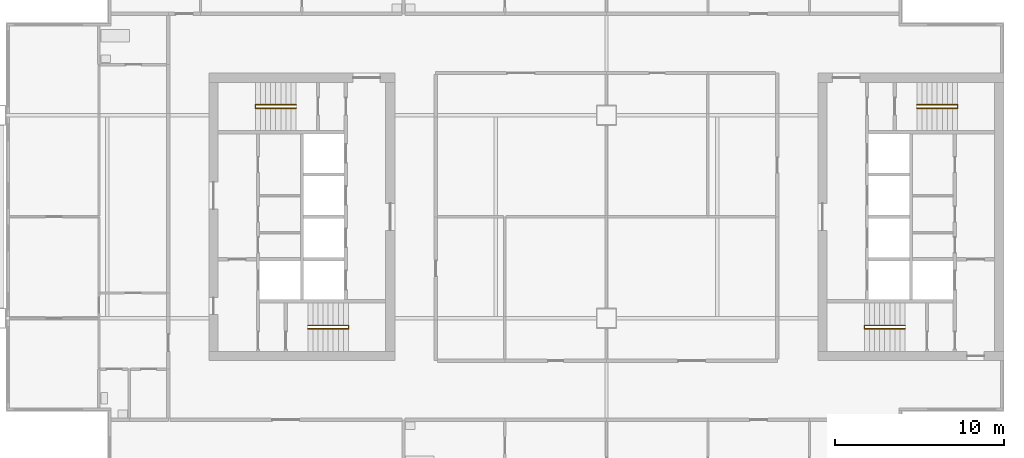
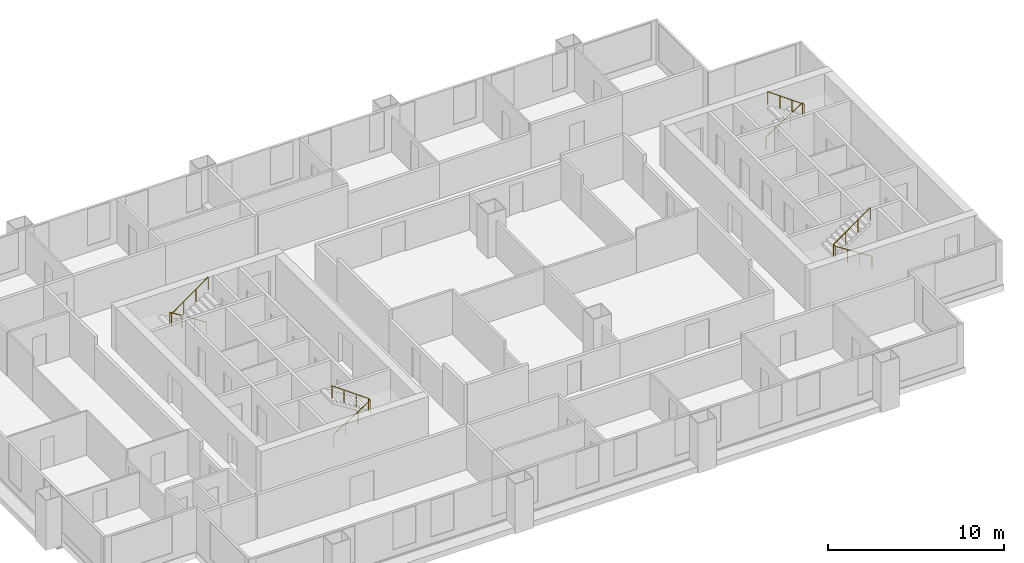
# One storey, part 8 of 9: 4 railings.
"""IFC4 building model written with IfcOpenShell, lengths in metres."""

from ifc_helpers import new_model, si_unit, direction, frame, origin, origin_2d, place, context, subcontext, project, spatial, circle, extrude, material, type_object, element, save


model = new_model("IFC4")

# Units and contexts
model_context = context("Model", 3, precision=1e-05, world=origin(), true_north=direction((0.0, 1.0)))
body_context = subcontext(model_context, "Body", "Model", "MODEL_VIEW")
ifc_project = project(units=[si_unit("LENGTHUNIT", "METRE"), si_unit("AREAUNIT", "SQUARE_METRE"), si_unit("VOLUMEUNIT", "CUBIC_METRE"), si_unit("PLANEANGLEUNIT", "RADIAN"), si_unit("MASSUNIT", "GRAM", prefix="KILO")], contexts=[model_context])

# Site, building, storey
site_placement = place(None, origin())
site = spatial("IfcSite", under=ifc_project, at=site_placement, CompositionType="ELEMENT")
building_placement = place(site_placement, origin())
building = spatial("IfcBuilding", under=site, at=building_placement, Name="Kitamizu Gate Tower and Museum", CompositionType="ELEMENT")
storey_placement = place(building_placement, frame((0.0, 0.0, 206.550048828125)))
storey = spatial("IfcBuildingStorey", under=building, at=storey_placement, Name="L55", CompositionType="ELEMENT", Elevation=206.550048828125)

# Railings
ifc_material = material(Name="Stainless steel SUS304", Category="steel")
railing_type = type_object("IfcRailingType", Name="Stair handrail 900", PredefinedType="HANDRAIL", material=ifc_material)
railing_1_placement = place(storey_placement, frame((18.35009765625, 23.375, 0.191650390625)))
element("IfcRailing", 1, at=railing_1_placement, inside=storey, type_object=railing_type, Name="Stair handrail ST1", PredefinedType="HANDRAIL", context=body_context, shape_type="SweptSolid", body=[
    extrude(circle(Radius=0.02392578125, at=origin_2d()), frame((0.0, 0.0, 0.8759765625), z_axis=(0.84270706373, 0.0, 0.538372366248), x_axis=(0.0, 1.0, 0.0)), (0.0, 0.0, 1.0), 2.847900390625),
    extrude(circle(Radius=0.02392578125, at=origin_2d()), frame((2.39990234375, 0.0, 2.4091796875), z_axis=(0.0, 1.0, 0.0), x_axis=(-1.0, 0.0, 0.0)), (0.0, 0.0, 1.0), 0.199951171875),
    extrude(circle(Radius=0.02392578125, at=origin_2d()), frame((2.39990234375, 0.199951171875, 2.4091796875), z_axis=(-0.811988456656, 0.0, 0.583673492852), x_axis=(0.0, -1.0, 0.0)), (0.0, 0.0, 1.0), 2.95556640625),
    extrude(circle(Radius=0.02099609375, at=origin_2d()), origin(), (0.0, 0.0, 1.0), 0.851806640625),
    extrude(circle(Radius=0.02099609375, at=origin_2d()), frame((0.800048828125, 0.0, 0.510986328125)), (0.0, 0.0, 1.0), 0.851806640625),
    extrude(circle(Radius=0.02099609375, at=origin_2d()), frame((1.599853515625, 0.0, 1.022216796875)), (0.0, 0.0, 1.0), 0.851806640625),
    extrude(circle(Radius=0.02099609375, at=origin_2d()), frame((2.39990234375, 0.0, 1.533203125)), (0.0, 0.0, 1.0), 0.851806640625),
    extrude(circle(Radius=0.02099609375, at=origin_2d()), frame((2.39990234375, 0.199951171875, 1.533203125)), (0.0, 0.0, 1.0), 0.851806640625),
    extrude(circle(Radius=0.02099609375, at=origin_2d()), frame((1.599853515625, 0.199951171875, 2.108154296875)), (0.0, 0.0, 1.0), 0.851806640625),
    extrude(circle(Radius=0.02099609375, at=origin_2d()), frame((0.800048828125, 0.199951171875, 2.683349609375)), (0.0, 0.0, 1.0), 0.851806640625),
    extrude(circle(Radius=0.02099609375, at=origin_2d()), frame((0.0, 0.199951171875, 3.25830078125)), (0.0, 0.0, 1.0), 0.851806640625),
])
railing_2_placement = place(storey_placement, frame((17.64990234375, 36.625, 0.191650390625)))
element("IfcRailing", 2, at=railing_2_placement, inside=storey, type_object=railing_type, Name="Stair handrail ST2", PredefinedType="HANDRAIL", context=body_context, shape_type="SweptSolid", body=[
    extrude(circle(Radius=0.02392578125, at=origin_2d()), frame((0.0, 0.0, 0.8759765625), z_axis=(-0.84270706373, 0.0, 0.538372366248), x_axis=(0.0, -1.0, 0.0)), (0.0, 0.0, 1.0), 2.847900390625),
    extrude(circle(Radius=0.02392578125, at=origin_2d()), frame((-2.39990234375, 0.0, 2.4091796875), z_axis=(0.0, -1.0, 0.0), x_axis=(1.0, 0.0, 0.0)), (0.0, 0.0, 1.0), 0.199951171875),
    extrude(circle(Radius=0.02392578125, at=origin_2d()), frame((-2.39990234375, -0.199951171875, 2.4091796875), z_axis=(0.811988456656, 0.0, 0.583673492852), x_axis=(0.0, 1.0, 0.0)), (0.0, 0.0, 1.0), 2.95556640625),
    extrude(circle(Radius=0.02099609375, at=origin_2d()), origin(), (0.0, 0.0, 1.0), 0.851806640625),
    extrude(circle(Radius=0.02099609375, at=origin_2d()), frame((-0.800048828125, 0.0, 0.510986328125)), (0.0, 0.0, 1.0), 0.851806640625),
    extrude(circle(Radius=0.02099609375, at=origin_2d()), frame((-1.599853515625, 0.0, 1.022216796875)), (0.0, 0.0, 1.0), 0.851806640625),
    extrude(circle(Radius=0.02099609375, at=origin_2d()), frame((-2.39990234375, 0.0, 1.533203125)), (0.0, 0.0, 1.0), 0.851806640625),
    extrude(circle(Radius=0.02099609375, at=origin_2d()), frame((-2.39990234375, -0.199951171875, 1.533203125)), (0.0, 0.0, 1.0), 0.851806640625),
    extrude(circle(Radius=0.02099609375, at=origin_2d()), frame((-1.599853515625, -0.199951171875, 2.108154296875)), (0.0, 0.0, 1.0), 0.851806640625),
    extrude(circle(Radius=0.02099609375, at=origin_2d()), frame((-0.800048828125, -0.199951171875, 2.683349609375)), (0.0, 0.0, 1.0), 0.851806640625),
    extrude(circle(Radius=0.02099609375, at=origin_2d()), frame((0.0, -0.199951171875, 3.25830078125)), (0.0, 0.0, 1.0), 0.851806640625),
])
railing_3_placement = place(storey_placement, frame((53.64990234375, 23.375, 0.191650390625)))
element("IfcRailing", 3, at=railing_3_placement, inside=storey, type_object=railing_type, Name="Stair handrail ST3", PredefinedType="HANDRAIL", context=body_context, shape_type="SweptSolid", body=[
    extrude(circle(Radius=0.02392578125, at=origin_2d()), frame((0.0, 0.0, 0.8759765625), z_axis=(-0.84270706373, 0.0, 0.538372366248), x_axis=(0.0, -1.0, 0.0)), (0.0, 0.0, 1.0), 2.847900390625),
    extrude(circle(Radius=0.02392578125, at=origin_2d()), frame((-2.39990234375, 0.0, 2.4091796875), z_axis=(0.0, 1.0, 0.0), x_axis=(-1.0, 0.0, 0.0)), (0.0, 0.0, 1.0), 0.199951171875),
    extrude(circle(Radius=0.02392578125, at=origin_2d()), frame((-2.39990234375, 0.199951171875, 2.4091796875), z_axis=(0.811988456656, 0.0, 0.583673492852), x_axis=(0.0, 1.0, 0.0)), (0.0, 0.0, 1.0), 2.95556640625),
    extrude(circle(Radius=0.02099609375, at=origin_2d()), origin(), (0.0, 0.0, 1.0), 0.851806640625),
    extrude(circle(Radius=0.02099609375, at=origin_2d()), frame((-0.800048828125, 0.0, 0.510986328125)), (0.0, 0.0, 1.0), 0.851806640625),
    extrude(circle(Radius=0.02099609375, at=origin_2d()), frame((-1.599853515625, 0.0, 1.022216796875)), (0.0, 0.0, 1.0), 0.851806640625),
    extrude(circle(Radius=0.02099609375, at=origin_2d()), frame((-2.39990234375, 0.0, 1.533203125)), (0.0, 0.0, 1.0), 0.851806640625),
    extrude(circle(Radius=0.02099609375, at=origin_2d()), frame((-2.39990234375, 0.199951171875, 1.533203125)), (0.0, 0.0, 1.0), 0.851806640625),
    extrude(circle(Radius=0.02099609375, at=origin_2d()), frame((-1.599853515625, 0.199951171875, 2.108154296875)), (0.0, 0.0, 1.0), 0.851806640625),
    extrude(circle(Radius=0.02099609375, at=origin_2d()), frame((-0.800048828125, 0.199951171875, 2.683349609375)), (0.0, 0.0, 1.0), 0.851806640625),
    extrude(circle(Radius=0.02099609375, at=origin_2d()), frame((0.0, 0.199951171875, 3.25830078125)), (0.0, 0.0, 1.0), 0.851806640625),
])
railing_4_placement = place(storey_placement, frame((54.35009765625, 36.625, 0.191650390625)))
element("IfcRailing", 4, at=railing_4_placement, inside=storey, type_object=railing_type, Name="Stair handrail ST4", PredefinedType="HANDRAIL", context=body_context, shape_type="SweptSolid", body=[
    extrude(circle(Radius=0.02392578125, at=origin_2d()), frame((0.0, 0.0, 0.8759765625), z_axis=(0.84270706373, 0.0, 0.538372366248), x_axis=(0.0, 1.0, 0.0)), (0.0, 0.0, 1.0), 2.847900390625),
    extrude(circle(Radius=0.02392578125, at=origin_2d()), frame((2.39990234375, 0.0, 2.4091796875), z_axis=(0.0, -1.0, 0.0), x_axis=(1.0, 0.0, 0.0)), (0.0, 0.0, 1.0), 0.199951171875),
    extrude(circle(Radius=0.02392578125, at=origin_2d()), frame((2.39990234375, -0.199951171875, 2.4091796875), z_axis=(-0.811988456656, 0.0, 0.583673492852), x_axis=(0.0, -1.0, 0.0)), (0.0, 0.0, 1.0), 2.95556640625),
    extrude(circle(Radius=0.02099609375, at=origin_2d()), origin(), (0.0, 0.0, 1.0), 0.851806640625),
    extrude(circle(Radius=0.02099609375, at=origin_2d()), frame((0.800048828125, 0.0, 0.510986328125)), (0.0, 0.0, 1.0), 0.851806640625),
    extrude(circle(Radius=0.02099609375, at=origin_2d()), frame((1.599853515625, 0.0, 1.022216796875)), (0.0, 0.0, 1.0), 0.851806640625),
    extrude(circle(Radius=0.02099609375, at=origin_2d()), frame((2.39990234375, 0.0, 1.533203125)), (0.0, 0.0, 1.0), 0.851806640625),
    extrude(circle(Radius=0.02099609375, at=origin_2d()), frame((2.39990234375, -0.199951171875, 1.533203125)), (0.0, 0.0, 1.0), 0.851806640625),
    extrude(circle(Radius=0.02099609375, at=origin_2d()), frame((1.599853515625, -0.199951171875, 2.108154296875)), (0.0, 0.0, 1.0), 0.851806640625),
    extrude(circle(Radius=0.02099609375, at=origin_2d()), frame((0.800048828125, -0.199951171875, 2.683349609375)), (0.0, 0.0, 1.0), 0.851806640625),
    extrude(circle(Radius=0.02099609375, at=origin_2d()), frame((0.0, -0.199951171875, 3.25830078125)), (0.0, 0.0, 1.0), 0.851806640625),
])

save(model, "model.ifc")
